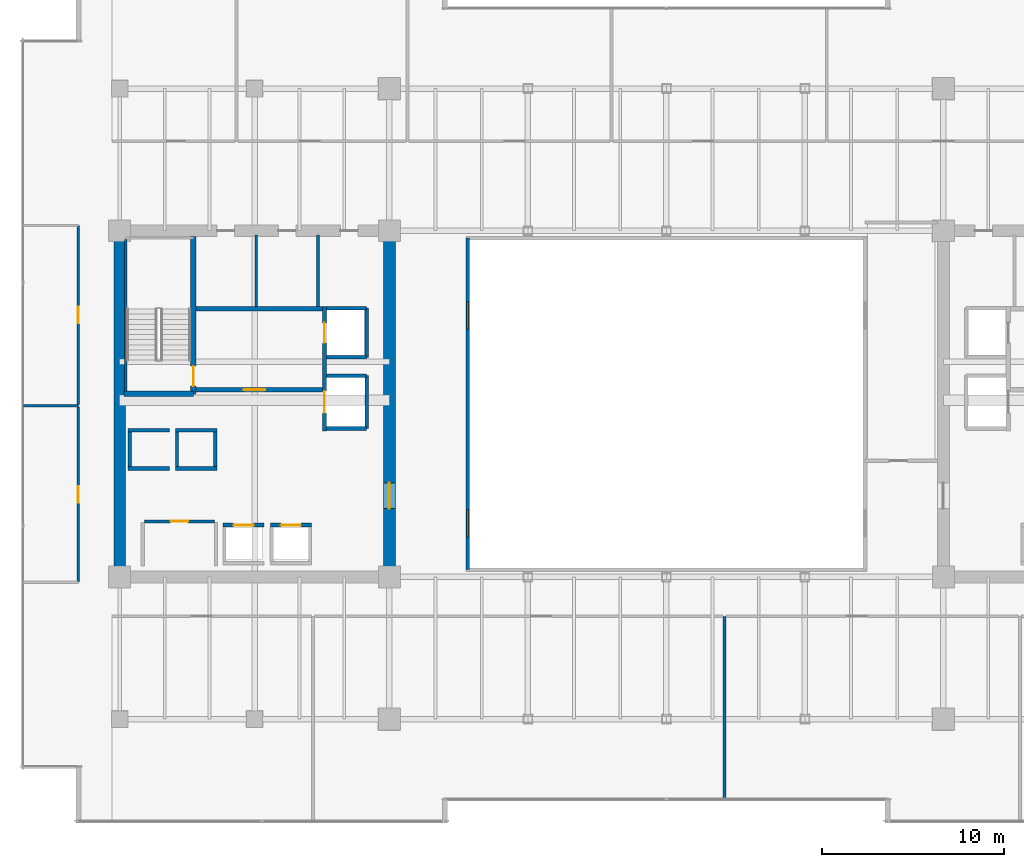
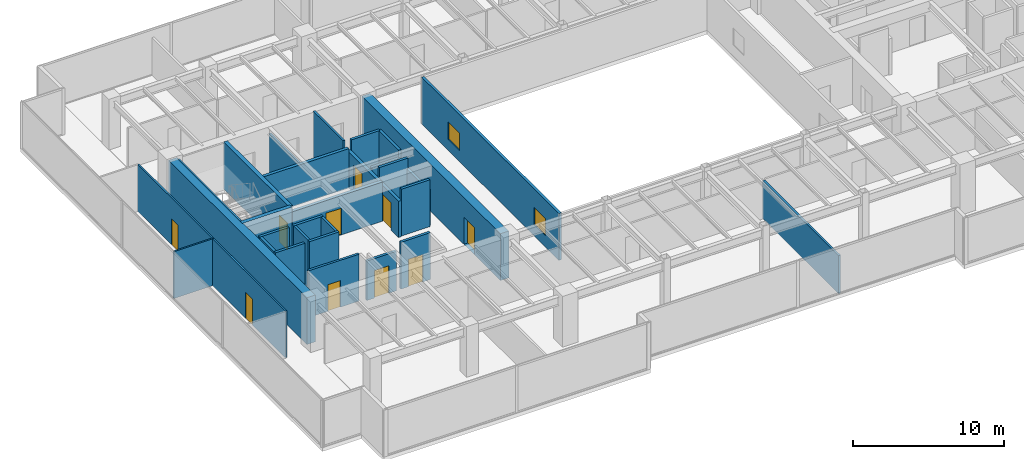
# One storey, part 25 of 33: 31 walls, 10 doors, 2 windows, 12 openings.
"""IFC4 building model written with IfcOpenShell, lengths in metres."""

from ifc_helpers import new_model, si_unit, direction, frame, frame_2d, origin, place, context, subcontext, project, spatial, rectangle, extrude, source, transform, mapped, material, layer, layer_set, type_object, type_shapes, element, fill, save


model = new_model("IFC4")

# Units and contexts
model_context = context("Model", 3, precision=1e-05, world=origin(), true_north=direction((0.0, 1.0)))
body_context = subcontext(model_context, "Body", "Model", "MODEL_VIEW")
ifc_project = project(units=[si_unit("LENGTHUNIT", "METRE"), si_unit("AREAUNIT", "SQUARE_METRE"), si_unit("VOLUMEUNIT", "CUBIC_METRE"), si_unit("PLANEANGLEUNIT", "RADIAN"), si_unit("MASSUNIT", "GRAM", prefix="KILO")], contexts=[model_context])

# Site, building, storey
site_placement = place(None, origin())
site = spatial("IfcSite", under=ifc_project, at=site_placement, CompositionType="ELEMENT")
building_placement = place(site_placement, origin())
building = spatial("IfcBuilding", under=site, at=building_placement, Name="Haelvirn Gate Laboratories", CompositionType="ELEMENT")
storey_placement = place(building_placement, frame((0.0, 0.0, 166.60009765625)))
storey = spatial("IfcBuildingStorey", under=building, at=storey_placement, Name="L40", CompositionType="ELEMENT", Elevation=166.60009765625)

# Wall
ifc_material_1 = material(Name="Double-layer acoustic gypsum laboratory partition", Category="gypsum")
ifc_layer_1 = layer(ifc_material_1, 0.159912109375, Name="IW-ACOUST-160")
ifc_layer_set_1 = layer_set([ifc_layer_1], Name="Double-layer acoustic gypsum laboratory partition")
wall_type_1 = type_object("IfcWallType", Name="IW-ACOUST-160", PredefinedType="PARTITIONING", material=ifc_layer_set_1)
wall_1_placement = place(storey_placement, frame((40.60009765625, 2.610107421875, 0.0), z_axis=(0.0, 0.0, 1.0), x_axis=(0.0, 1.0, 0.0)))
element("IfcWall", 1, at=wall_1_placement, inside=storey, type_object=wall_type_1, Name="L40 Interior Wall IW-L40-SDIV-02", PredefinedType="PARTITIONING", context=body_context, shape_type="SweptSolid", body=[
    extrude(rectangle(XDim=10.02978515625, YDim=0.159912109375, at=frame_2d((5.014892578125, 0.0))), origin(), (0.0, 0.0, 1.0), 3.074951171875),
])

# Wall, openings, windows
ifc_material_2 = material(Name="Tempered fire-rated borosilicate glass & anodised aluminium", Category="aluminium")
ifc_layer_2 = layer(ifc_material_2, 0.195068359375, Name="IW-GLAZ-200")
ifc_layer_set_2 = layer_set([ifc_layer_2], Name="Tempered fire-rated borosilicate glass & anodised aluminium")
wall_type_2 = type_object("IfcWallType", Name="IW-GLAZ-200", PredefinedType="SOLIDWALL", material=ifc_layer_set_2)
wall_2_placement = place(storey_placement, frame((26.5, 15.199951171875, 0.0), z_axis=(0.0, 0.0, 1.0), x_axis=(0.0, 1.0, 0.0)))
wall_2 = element("IfcWall", 2, at=wall_2_placement, inside=storey, type_object=wall_type_2, Name="L40 Interior Wall IW-L40-ATRIUM-W", PredefinedType="SOLIDWALL", context=body_context, shape_type="SweptSolid", body=[
    extrude(rectangle(XDim=18.199951171875, YDim=0.195068359375, at=frame_2d((9.10009765625, 0.0))), origin(), (0.0, 0.0, 1.0), 3.789794921875),
])
opening_1_placement = place(wall_2_placement, frame((1.800048828125, 0.0, 0.89990234375)))
opening_1 = element("IfcOpeningElement", 3, at=opening_1_placement, cuts=wall_2, Name="Opening W5", PredefinedType="OPENING", context=body_context, shape_type="SweptSolid", body=[
    extrude(rectangle(XDim=1.5, YDim=1.39990234375, at=frame_2d((0.75, 0.699951171875))), frame((0.0, 0.107421875, 0.0), z_axis=(0.0, -1.0, 0.0), x_axis=(1.0, 0.0, 0.0)), (0.0, 0.0, 1.0), 0.215087890625),
])
opening_2_placement = place(wall_2_placement, frame((13.199951171875, 0.0, 0.89990234375)))
opening_2 = element("IfcOpeningElement", 4, at=opening_2_placement, cuts=wall_2, Name="Opening W5", PredefinedType="OPENING", context=body_context, shape_type="SweptSolid", body=[
    extrude(rectangle(XDim=1.5, YDim=1.39990234375, at=frame_2d((0.75, 0.699951171875))), frame((0.0, 0.107421875, 0.0), z_axis=(0.0, -1.0, 0.0), x_axis=(1.0, 0.0, 0.0)), (0.0, 0.0, 1.0), 0.215087890625),
])
ifc_material_3 = material(Name="Fire-rated EI 120 borosilicate atrium vision glazing", Category="glass")
window_type = type_object("IfcWindowType", Name="WN-ATR-1500", PartitioningType="SINGLE_PANEL", PredefinedType="WINDOW", material=ifc_material_3)
shared_shape_1 = source(origin(), body_context, "Body", "SweptSolid", [
    extrude(rectangle(XDim=1.5, YDim=1.39990234375, at=frame_2d((0.75, 0.699951171875))), frame((0.0, 0.030029296875, 0.0), z_axis=(0.0, -1.0, 0.0), x_axis=(1.0, 0.0, 0.0)), (0.0, 0.0, 1.0), 0.06005859375),
])
type_shapes(window_type, [shared_shape_1])
window_1_placement = place(opening_1_placement, origin())
window_1 = element("IfcWindow", 5, at=window_1_placement, inside=storey, type_object=window_type, Name="L40 Atrium Observation Window 1", OverallHeight=1.39990234375, OverallWidth=1.5, PartitioningType="SINGLE_PANEL", PredefinedType="WINDOW", context=body_context, shape_type="MappedRepresentation", body=[
    mapped(shared_shape_1, transform((0.0, 0.0, 0.0), scale=1.0)),
])
fill(opening_1, window_1)
window_2_placement = place(opening_2_placement, origin())
window_2 = element("IfcWindow", 6, at=window_2_placement, inside=storey, type_object=window_type, Name="L40 Atrium Observation Window 2", OverallHeight=1.39990234375, OverallWidth=1.5, PartitioningType="SINGLE_PANEL", PredefinedType="WINDOW", context=body_context, shape_type="MappedRepresentation", body=[
    mapped(shared_shape_1, transform((0.0, 0.0, 0.0), scale=1.0)),
])
fill(opening_2, window_2)

# Wall, opening, door
ifc_material_4 = material(Name="Lightweight acoustic gypsum board partition", Category="gypsum")
ifc_layer_3 = layer(ifc_material_4, 0.1201171875, Name="IW-PART-120")
ifc_layer_set_3 = layer_set([ifc_layer_3], Name="Lightweight acoustic gypsum board partition")
wall_type_3 = type_object("IfcWallType", Name="IW-PART-120", PredefinedType="PARTITIONING", material=ifc_layer_set_3)
wall_3_placement = place(storey_placement, frame((5.1298828125, 14.514892578125, 0.0), z_axis=(0.0, 0.0, 1.0), x_axis=(0.0, 1.0, 0.0)))
wall_3 = element("IfcWall", 7, at=wall_3_placement, inside=storey, type_object=wall_type_3, Name="L40 Interior Wall IW-L40-WPASS-01", PredefinedType="PARTITIONING", context=body_context, shape_type="SweptSolid", body=[
    extrude(rectangle(XDim=9.625, YDim=0.1201171875, at=frame_2d((4.8125, 0.0))), origin(), (0.0, 0.0, 1.0), 3.789794921875),
])
opening_3_placement = place(wall_3_placement, frame((4.362548828125, 0.0, 0.0)))
opening_3 = element("IfcOpeningElement", 8, at=opening_3_placement, cuts=wall_3, Name="Opening D4", PredefinedType="OPENING", context=body_context, shape_type="SweptSolid", body=[
    extrude(rectangle(XDim=0.89990234375, YDim=2.10009765625, at=frame_2d((0.449951171875, 1.050048828125))), frame((0.0, 0.070068359375, 0.0), z_axis=(0.0, -1.0, 0.0), x_axis=(1.0, 0.0, 0.0)), (0.0, 0.0, 1.0), 0.14013671875),
])
ifc_material_5 = material(Name="Glazed aluminium-framed write-up door", Category="aluminium")
door_type_1 = type_object("IfcDoorType", Name="DR-OFF-900", OperationType="NOTDEFINED", PredefinedType="DOOR", material=ifc_material_5)
shared_shape_2 = source(origin(), body_context, "Body", "SweptSolid", [
    extrude(rectangle(XDim=0.89990234375, YDim=2.10009765625, at=frame_2d((0.449951171875, 1.050048828125))), frame((0.0, 0.02490234375, 0.0), z_axis=(0.0, -1.0, 0.0), x_axis=(1.0, 0.0, 0.0)), (0.0, 0.0, 1.0), 0.050048828125),
])
type_shapes(door_type_1, [shared_shape_2])
door_1_placement = place(opening_3_placement, origin())
door_1 = element("IfcDoor", 9, at=door_1_placement, inside=storey, type_object=door_type_1, Name="L40 Floor Hydration & Tea Servery Door W1", OperationType="SINGLE_SWING_LEFT", OverallHeight=2.10009765625, OverallWidth=0.89990234375, PredefinedType="DOOR", context=body_context, shape_type="MappedRepresentation", body=[
    mapped(shared_shape_2, transform((0.0, 0.0, 0.0), scale=1.0)),
])
fill(opening_3, door_1)

# Wall
wall_4_placement = place(storey_placement, frame((2.110107421875, 24.199951171875, 0.0), z_axis=(0.0, 0.0, 1.0), x_axis=(1.0, 0.0, 0.0)))
element("IfcWall", 10, at=wall_4_placement, inside=storey, type_object=wall_type_3, Name="L40 Interior Wall IW-L40-WDIV-01", PredefinedType="PARTITIONING", context=body_context, shape_type="SweptSolid", body=[
    extrude(rectangle(XDim=3.019775390625, YDim=0.1201171875, at=frame_2d((1.509765625, 0.0))), origin(), (0.0, 0.0, 1.0), 3.789794921875),
])

# Wall, opening, door
wall_5_placement = place(storey_placement, frame((5.1298828125, 24.260009765625, 0.0), z_axis=(0.0, 0.0, 1.0), x_axis=(0.0, 1.0, 0.0)))
wall_5 = element("IfcWall", 11, at=wall_5_placement, inside=storey, type_object=wall_type_3, Name="L40 Interior Wall IW-L40-WPASS-02", PredefinedType="PARTITIONING", context=body_context, shape_type="SweptSolid", body=[
    extrude(rectangle(XDim=9.824951171875, YDim=0.1201171875, at=frame_2d((4.91259765625, 0.0))), origin(), (0.0, 0.0, 1.0), 3.789794921875),
])
opening_4_placement = place(wall_5_placement, frame((4.46240234375, 0.0, 0.0)))
opening_4 = element("IfcOpeningElement", 12, at=opening_4_placement, cuts=wall_5, Name="Opening D4", PredefinedType="OPENING", context=body_context, shape_type="SweptSolid", body=[
    extrude(rectangle(XDim=0.89990234375, YDim=2.10009765625, at=frame_2d((0.449951171875, 1.050048828125))), frame((0.0, 0.070068359375, 0.0), z_axis=(0.0, -1.0, 0.0), x_axis=(1.0, 0.0, 0.0)), (0.0, 0.0, 1.0), 0.14013671875),
])
door_2_placement = place(opening_4_placement, origin())
door_2 = element("IfcDoor", 13, at=door_2_placement, inside=storey, type_object=door_type_1, Name="L40 Researcher Break Pantry Door W2", OperationType="SINGLE_SWING_RIGHT", OverallHeight=2.10009765625, OverallWidth=0.89990234375, PredefinedType="DOOR", context=body_context, shape_type="MappedRepresentation", body=[
    mapped(shared_shape_2, transform((0.0, 0.0, 0.0), scale=1.0)),
])
fill(opening_4, door_2)

# Walls
ifc_material_6 = material(Name="Cement-board restroom plumbing chase wall", Category="gypsum")
ifc_layer_4 = layer(ifc_material_6, 0.155029296875, Name="IW-PLUMB-160")
ifc_layer_set_4 = layer_set([ifc_layer_4], Name="Cement-board restroom plumbing chase wall")
wall_type_4 = type_object("IfcWallType", Name="IW-PLUMB-160", PredefinedType="PLUMBINGWALL", material=ifc_layer_set_4)
wall_6_placement = place(storey_placement, frame((14.889892578125, 29.64990234375, 0.0), z_axis=(0.0, 0.0, 1.0), x_axis=(0.0, 1.0, 0.0)))
element("IfcWall", 14, at=wall_6_placement, inside=storey, type_object=wall_type_4, Name="L40 Interior Wall IW-L40-W-CDIV-1", PredefinedType="PLUMBINGWALL", context=body_context, shape_type="SweptSolid", body=[
    extrude(rectangle(XDim=3.93017578125, YDim=0.155029296875, at=frame_2d((1.965087890625, 0.0))), origin(), (0.0, 0.0, 1.0), 3.18701171875),
])
wall_7_placement = place(storey_placement, frame((18.2900390625, 29.64990234375, 0.0), z_axis=(0.0, 0.0, 1.0), x_axis=(0.0, 1.0, 0.0)))
element("IfcWall", 15, at=wall_7_placement, inside=storey, type_object=wall_type_4, Name="L40 Interior Wall IW-L40-W-CDIV-2", PredefinedType="PLUMBINGWALL", context=body_context, shape_type="SweptSolid", body=[
    extrude(rectangle(XDim=3.93017578125, YDim=0.155029296875, at=frame_2d((1.965087890625, 0.0))), origin(), (0.0, 0.0, 1.0), 3.789794921875),
])
ifc_material_7 = material(Name="Concrete C40/50", Category="concrete")
ifc_layer_5 = layer(ifc_material_7, 0.179931640625, Name="IW-SHAFT-180")
ifc_layer_set_5 = layer_set([ifc_layer_5], Name="Concrete C40/50")
wall_type_5 = type_object("IfcWallType", Name="IW-SHAFT-180", PredefinedType="SOLIDWALL", material=ifc_layer_set_5)
for number, where, z_axis, x_axis, name in (
    (16, (7.949951171875, 20.85009765625, 0.0), (0.0, 0.0, 1.0), (0.0, 1.0, 0.0), "L40 Interior Wall IW-L40-PL9-SD"),
    (17, (10.550048828125, 20.85009765625, 0.0), (0.0, 0.0, 1.0), (0.0, 1.0, 0.0), "L40 Interior Wall IW-L40-PL10-SD"),
    (18, (12.64990234375, 20.85009765625, 0.0), (0.0, 0.0, 1.0), (0.0, 1.0, 0.0), "L40 Interior Wall IW-L40-PL10-SDE"),
):
    element("IfcWall", number, at=place(storey_placement, frame(where, z_axis=z_axis, x_axis=x_axis)), inside=storey, type_object=wall_type_5, Name=name, PredefinedType="SOLIDWALL", context=body_context, shape_type="SweptSolid", body=[
        extrude(rectangle(XDim=1.89990234375, YDim=0.179931640625, at=frame_2d((0.949951171875, 0.0))), origin(), (0.0, 0.0, 1.0), 3.789794921875),
    ])

# Wall, opening, door
wall_8_placement = place(storey_placement, frame((8.75, 17.85009765625, 0.0), z_axis=(0.0, 0.0, 1.0), x_axis=(1.0, 0.0, 0.0)))
wall_8 = element("IfcWall", 19, at=wall_8_placement, inside=storey, type_object=wall_type_5, Name="L40 Interior Wall IW-L40-W-FREED-LN-1", PredefinedType="SOLIDWALL", context=body_context, shape_type="SweptSolid", body=[
    extrude(rectangle(XDim=3.85009765625, YDim=0.179931640625, at=frame_2d((1.925048828125, 0.0))), origin(), (0.0, 0.0, 1.0), 3.789794921875),
])
opening_5_placement = place(wall_8_placement, frame((1.449951171875, 0.0, 0.0)))
opening_5 = element("IfcOpeningElement", 20, at=opening_5_placement, cuts=wall_8, Name="Opening FD4", PredefinedType="OPENING", context=body_context, shape_type="SweptSolid", body=[
    extrude(rectangle(XDim=0.949951171875, YDim=2.14990234375, at=frame_2d((0.47509765625, 1.074951171875))), frame((0.0, 0.10009765625, 0.0), z_axis=(0.0, -1.0, 0.0), x_axis=(1.0, 0.0, 0.0)), (0.0, 0.0, 1.0), 0.199951171875),
])
ifc_material_8 = material(Name="Fire-rated steel SM355 core service door", Category="steel")
door_type_2 = type_object("IfcDoorType", Name="DR-FD-950", OperationType="NOTDEFINED", PredefinedType="DOOR", material=ifc_material_8)
shared_shape_3 = source(origin(), body_context, "Body", "SweptSolid", [
    extrude(rectangle(XDim=0.949951171875, YDim=2.14990234375, at=frame_2d((0.47509765625, 1.074951171875))), frame((0.0, 0.02490234375, 0.0), z_axis=(0.0, -1.0, 0.0), x_axis=(1.0, 0.0, 0.0)), (0.0, 0.0, 1.0), 0.050048828125),
])
type_shapes(door_type_2, [shared_shape_3])
door_3_placement = place(opening_5_placement, origin())
door_3 = element("IfcDoor", 21, at=door_3_placement, inside=storey, type_object=door_type_2, Name="L40 Cryo-Dewar & Sterile Glassware Room Door", OperationType="SINGLE_SWING_LEFT", OverallHeight=2.14990234375, OverallWidth=0.949951171875, PredefinedType="DOOR", context=body_context, shape_type="MappedRepresentation", body=[
    mapped(shared_shape_3, transform((0.0, 0.0, 0.0), scale=1.0)),
])
fill(opening_5, door_3)

ifc_layer_6 = layer(ifc_material_7, 0.199951171875, Name="IW-SHAFT-200")
ifc_layer_set_6 = layer_set([ifc_layer_6], Name="Concrete C40/50")
wall_type_6 = type_object("IfcWallType", Name="IW-SHAFT-200", PredefinedType="SOLIDWALL", material=ifc_layer_set_6)
wall_9_placement = place(storey_placement, frame((13.070068359375, 17.64990234375, 0.0), z_axis=(0.0, 0.0, 1.0), x_axis=(1.0, 0.0, 0.0)))
wall_9 = element("IfcWall", 22, at=wall_9_placement, inside=storey, type_object=wall_type_6, Name="L40 Interior Wall IW-L40-PL5-FR", PredefinedType="SOLIDWALL", context=body_context, shape_type="SweptSolid", body=[
    extrude(rectangle(XDim=2.260009765625, YDim=0.199951171875, at=frame_2d((1.1298828125, 0.0))), origin(), (0.0, 0.0, 1.0), 3.18701171875),
])
opening_6_placement = place(wall_9_placement, frame((0.580078125, 0.0, 0.0)))
opening_6 = element("IfcOpeningElement", 23, at=opening_6_placement, cuts=wall_9, Name="Opening LD2", PredefinedType="OPENING", context=body_context, shape_type="SweptSolid", body=[
    extrude(rectangle(XDim=1.10009765625, YDim=2.219970703125, at=frame_2d((0.550048828125, 1.10986328125))), frame((0.0, 0.10986328125, 0.0), z_axis=(0.0, -1.0, 0.0), x_axis=(1.0, 0.0, 0.0)), (0.0, 0.0, 1.0), 0.219970703125),
])
ifc_material_9 = material(Name="Bronze stainless 316L sliding lift landing door")
door_type_3 = type_object("IfcDoorType", Name="DR-LD-1100", OperationType="NOTDEFINED", PredefinedType="USERDEFINED", material=ifc_material_9)
shared_shape_4 = source(origin(), body_context, "Body", "SweptSolid", [
    extrude(rectangle(XDim=1.10009765625, YDim=2.219970703125, at=frame_2d((0.550048828125, 1.10986328125))), frame((0.0, 0.02490234375, 0.0), z_axis=(0.0, -1.0, 0.0), x_axis=(1.0, 0.0, 0.0)), (0.0, 0.0, 1.0), 0.050048828125),
])
type_shapes(door_type_3, [shared_shape_4])
door_4_placement = place(opening_6_placement, origin())
door_4 = element("IfcDoor", 24, at=door_4_placement, inside=storey, type_object=door_type_3, Name="L40 Passenger Lift PL5 Landing Door", ObjectType="LANDING_DOOR", OperationType="SLIDING_TO_LEFT", OverallHeight=2.219970703125, OverallWidth=1.10009765625, PredefinedType="USERDEFINED", context=body_context, shape_type="MappedRepresentation", body=[
    mapped(shared_shape_4, transform((0.0, 0.0, 0.0), scale=1.0)),
])
fill(opening_6, door_4)

wall_10_placement = place(storey_placement, frame((15.669921875, 17.64990234375, 0.0), z_axis=(0.0, 0.0, 1.0), x_axis=(1.0, 0.0, 0.0)))
wall_10 = element("IfcWall", 25, at=wall_10_placement, inside=storey, type_object=wall_type_6, Name="L40 Interior Wall IW-L40-PL6-FR", PredefinedType="SOLIDWALL", context=body_context, shape_type="SweptSolid", body=[
    extrude(rectangle(XDim=2.260009765625, YDim=0.199951171875, at=frame_2d((1.1298828125, 0.0))), origin(), (0.0, 0.0, 1.0), 3.789794921875),
])
opening_7_placement = place(wall_10_placement, frame((0.580078125, 0.0, 0.0)))
opening_7 = element("IfcOpeningElement", 26, at=opening_7_placement, cuts=wall_10, Name="Opening LD2", PredefinedType="OPENING", context=body_context, shape_type="SweptSolid", body=[
    extrude(rectangle(XDim=1.10009765625, YDim=2.219970703125, at=frame_2d((0.550048828125, 1.10986328125))), frame((0.0, 0.10986328125, 0.0), z_axis=(0.0, -1.0, 0.0), x_axis=(1.0, 0.0, 0.0)), (0.0, 0.0, 1.0), 0.219970703125),
])
door_5_placement = place(opening_7_placement, origin())
door_5 = element("IfcDoor", 27, at=door_5_placement, inside=storey, type_object=door_type_3, Name="L40 Passenger Lift PL6 Landing Door", ObjectType="LANDING_DOOR", OperationType="SLIDING_TO_RIGHT", OverallHeight=2.219970703125, OverallWidth=1.10009765625, PredefinedType="USERDEFINED", context=body_context, shape_type="MappedRepresentation", body=[
    mapped(shared_shape_4, transform((0.0, 0.0, 0.0), scale=1.0)),
])
fill(opening_7, door_5)

# Walls
for number, where, z_axis, x_axis, name in (
    (28, (7.8701171875, 20.75, 0.0), (0.0, 0.0, 1.0), (1.0, 0.0, 0.0), "L40 Interior Wall IW-L40-PL9-FR"),
    (29, (7.8701171875, 22.85009765625, 0.0), (0.0, 0.0, 1.0), (1.0, 0.0, 0.0), "L40 Interior Wall IW-L40-PL9-BK"),
):
    element("IfcWall", number, at=place(storey_placement, frame(where, z_axis=z_axis, x_axis=x_axis)), inside=storey, type_object=wall_type_6, Name=name, PredefinedType="SOLIDWALL", context=body_context, shape_type="SweptSolid", body=[
        extrude(rectangle(XDim=2.259765625, YDim=0.199951171875, at=frame_2d((1.1298828125, 0.0))), origin(), (0.0, 0.0, 1.0), 3.789794921875),
    ])
for number, where, z_axis, x_axis, name in (
    (30, (10.469970703125, 20.75, 0.0), (0.0, 0.0, 1.0), (1.0, 0.0, 0.0), "L40 Interior Wall IW-L40-PL10-FR"),
    (31, (10.469970703125, 22.85009765625, 0.0), (0.0, 0.0, 1.0), (1.0, 0.0, 0.0), "L40 Interior Wall IW-L40-PL10-BK"),
):
    element("IfcWall", number, at=place(storey_placement, frame(where, z_axis=z_axis, x_axis=x_axis)), inside=storey, type_object=wall_type_6, Name=name, PredefinedType="SOLIDWALL", context=body_context, shape_type="SweptSolid", body=[
        extrude(rectangle(XDim=2.260009765625, YDim=0.199951171875, at=frame_2d((1.1298828125, 0.0))), origin(), (0.0, 0.0, 1.0), 3.789794921875),
    ])
wall_11_placement = place(storey_placement, frame((20.949951171875, 26.85009765625, 0.0), z_axis=(0.0, 0.0, 1.0), x_axis=(0.0, 1.0, 0.0)))
element("IfcWall", 32, at=wall_11_placement, inside=storey, type_object=wall_type_6, Name="L40 Interior Wall IW-L40-FL1-BK", PredefinedType="SOLIDWALL", context=body_context, shape_type="SweptSolid", body=[
    extrude(rectangle(XDim=2.699951171875, YDim=0.199951171875, at=frame_2d((1.35009765625, 0.0))), origin(), (0.0, 0.0, 1.0), 3.789794921875),
])
wall_12_placement = place(storey_placement, frame((18.760009765625, 29.550048828125, 0.0), z_axis=(0.0, 0.0, 1.0), x_axis=(1.0, 0.0, 0.0)))
element("IfcWall", 33, at=wall_12_placement, inside=storey, type_object=wall_type_6, Name="L40 Interior Wall IW-L40-FL1-N", PredefinedType="SOLIDWALL", context=body_context, shape_type="SweptSolid", body=[
    extrude(rectangle(XDim=2.18994140625, YDim=0.199951171875, at=frame_2d((1.094970703125, 0.0))), origin(), (0.0, 0.0, 1.0), 3.789794921875),
])
wall_13_placement = place(storey_placement, frame((18.760009765625, 26.85009765625, 0.0), z_axis=(0.0, 0.0, 1.0), x_axis=(1.0, 0.0, 0.0)))
element("IfcWall", 34, at=wall_13_placement, inside=storey, type_object=wall_type_6, Name="L40 Interior Wall IW-L40-FL1-S", PredefinedType="SOLIDWALL", context=body_context, shape_type="SweptSolid", body=[
    extrude(rectangle(XDim=2.18994140625, YDim=0.199951171875, at=frame_2d((1.094970703125, 0.0))), origin(), (0.0, 0.0, 1.0), 3.18701171875),
])
wall_14_placement = place(storey_placement, frame((20.949951171875, 22.949951171875, 0.0), z_axis=(0.0, 0.0, 1.0), x_axis=(0.0, 1.0, 0.0)))
element("IfcWall", 35, at=wall_14_placement, inside=storey, type_object=wall_type_6, Name="L40 Interior Wall IW-L40-SL1-BK", PredefinedType="SOLIDWALL", context=body_context, shape_type="SweptSolid", body=[
    extrude(rectangle(XDim=2.900146484375, YDim=0.199951171875, at=frame_2d((1.4501953125, 0.0))), origin(), (0.0, 0.0, 1.0), 2.9248046875),
])
for number, where, z_axis, x_axis, name in (
    (36, (18.760009765625, 25.85009765625, 0.0), (0.0, 0.0, 1.0), (1.0, 0.0, 0.0), "L40 Interior Wall IW-L40-SL1-N"),
    (37, (18.760009765625, 22.949951171875, 0.0), (0.0, 0.0, 1.0), (1.0, 0.0, 0.0), "L40 Interior Wall IW-L40-SL1-S"),
):
    element("IfcWall", number, at=place(storey_placement, frame(where, z_axis=z_axis, x_axis=x_axis)), inside=storey, type_object=wall_type_6, Name=name, PredefinedType="SOLIDWALL", context=body_context, shape_type="SweptSolid", body=[
        extrude(rectangle(XDim=2.18994140625, YDim=0.199951171875, at=frame_2d((1.094970703125, 0.0))), origin(), (0.0, 0.0, 1.0), 3.789794921875),
    ])

# Wall, opening, door
ifc_layer_7 = layer(ifc_material_7, 0.239990234375, Name="IW-SHAFT-240")
ifc_layer_set_7 = layer_set([ifc_layer_7], Name="Concrete C40/50")
wall_type_7 = type_object("IfcWallType", Name="IW-SHAFT-240", PredefinedType="SOLIDWALL", material=ifc_layer_set_7)
wall_15_placement = place(storey_placement, frame((11.60009765625, 25.080078125, 0.0), z_axis=(0.0, 0.0, 1.0), x_axis=(1.0, 0.0, 0.0)))
wall_15 = element("IfcWall", 38, at=wall_15_placement, inside=storey, type_object=wall_type_7, Name="L40 Interior Wall IW-L40-W-FF-S", PredefinedType="SOLIDWALL", context=body_context, shape_type="SweptSolid", body=[
    extrude(rectangle(XDim=6.919921875, YDim=0.239990234375, at=frame_2d((3.4599609375, 0.0))), origin(), (0.0, 0.0, 1.0), 3.18701171875),
])
opening_8_placement = place(wall_15_placement, frame((2.60009765625, 0.0, 0.0)))
opening_8 = element("IfcOpeningElement", 39, at=opening_8_placement, cuts=wall_15, Name="Opening FD2", PredefinedType="OPENING", context=body_context, shape_type="SweptSolid", body=[
    extrude(rectangle(XDim=1.199951171875, YDim=2.159912109375, at=frame_2d((0.60009765625, 1.080078125))), frame((0.0, 0.1298828125, 0.0), z_axis=(0.0, -1.0, 0.0), x_axis=(1.0, 0.0, 0.0)), (0.0, 0.0, 1.0), 0.260009765625),
])
ifc_material_10 = material(Name="Fire-rated steel SM355 compartment door", Category="steel")
door_type_4 = type_object("IfcDoorType", Name="DR-FD-1200", OperationType="NOTDEFINED", PredefinedType="DOOR", material=ifc_material_10)
shared_shape_5 = source(origin(), body_context, "Body", "SweptSolid", [
    extrude(rectangle(XDim=1.199951171875, YDim=2.159912109375, at=frame_2d((0.60009765625, 1.080078125))), frame((0.0, 0.02490234375, 0.0), z_axis=(0.0, -1.0, 0.0), x_axis=(1.0, 0.0, 0.0)), (0.0, 0.0, 1.0), 0.050048828125),
])
type_shapes(door_type_4, [shared_shape_5])
door_6_placement = place(opening_8_placement, origin())
door_6 = element("IfcDoor", 40, at=door_6_placement, inside=storey, type_object=door_type_4, Name="L40 West Firefighting Lobby Door", OperationType="SINGLE_SWING_RIGHT", OverallHeight=2.159912109375, OverallWidth=1.199951171875, PredefinedType="DOOR", context=body_context, shape_type="MappedRepresentation", body=[
    mapped(shared_shape_5, transform((0.0, 0.0, 0.0), scale=1.0)),
])
fill(opening_8, door_6)

# Wall
wall_16_placement = place(storey_placement, frame((11.60009765625, 29.52001953125, 0.0), z_axis=(0.0, 0.0, 1.0), x_axis=(1.0, 0.0, 0.0)))
element("IfcWall", 41, at=wall_16_placement, inside=storey, type_object=wall_type_7, Name="L40 Interior Wall IW-L40-W-FF-N", PredefinedType="SOLIDWALL", context=body_context, shape_type="SweptSolid", body=[
    extrude(rectangle(XDim=6.919921875, YDim=0.239990234375, at=frame_2d((3.4599609375, 0.0))), origin(), (0.0, 0.0, 1.0), 3.18701171875),
])

# Wall, openings, doors
wall_17_placement = place(storey_placement, frame((18.639892578125, 22.800048828125, 0.0), z_axis=(0.0, 0.0, 1.0), x_axis=(0.0, 1.0, 0.0)))
wall_17 = element("IfcWall", 42, at=wall_17_placement, inside=storey, type_object=wall_type_7, Name="L40 Interior Wall IW-L40-W-FF-E", PredefinedType="SOLIDWALL", context=body_context, shape_type="SweptSolid", body=[
    extrude(rectangle(XDim=6.849853515625, YDim=0.239990234375, at=frame_2d((3.4248046875, 0.0))), origin(), (0.0, 0.0, 1.0), 2.9248046875),
])
opening_9_placement = place(wall_17_placement, frame((4.85009765625, 0.0, 0.0)))
opening_9 = element("IfcOpeningElement", 43, at=opening_9_placement, cuts=wall_17, Name="Opening LD2", PredefinedType="OPENING", context=body_context, shape_type="SweptSolid", body=[
    extrude(rectangle(XDim=1.10009765625, YDim=2.219970703125, at=frame_2d((0.550048828125, 1.10986328125))), frame((0.0, 0.1298828125, 0.0), z_axis=(0.0, -1.0, 0.0), x_axis=(1.0, 0.0, 0.0)), (0.0, 0.0, 1.0), 0.260009765625),
])
opening_10_placement = place(wall_17_placement, frame((1.0, 0.0, 0.0)))
opening_10 = element("IfcOpeningElement", 44, at=opening_10_placement, cuts=wall_17, Name="Opening LD1", PredefinedType="OPENING", context=body_context, shape_type="SweptSolid", body=[
    extrude(rectangle(XDim=1.199951171875, YDim=2.219970703125, at=frame_2d((0.60009765625, 1.10986328125))), frame((0.0, 0.1298828125, 0.0), z_axis=(0.0, -1.0, 0.0), x_axis=(1.0, 0.0, 0.0)), (0.0, 0.0, 1.0), 0.260009765625),
])
door_7_placement = place(opening_9_placement, origin())
door_7 = element("IfcDoor", 45, at=door_7_placement, inside=storey, type_object=door_type_3, Name="L40 Firefighting Lift FL1 Landing Door", ObjectType="LANDING_DOOR", OperationType="SLIDING_TO_LEFT", OverallHeight=2.219970703125, OverallWidth=1.10009765625, PredefinedType="USERDEFINED", context=body_context, shape_type="MappedRepresentation", body=[
    mapped(shared_shape_4, transform((0.0, 0.0, 0.0), scale=1.0)),
])
fill(opening_9, door_7)
ifc_material_11 = material(Name="Stainless steel 316L sliding goods landing door", Category="steel")
door_type_5 = type_object("IfcDoorType", Name="DR-LD-1200", OperationType="NOTDEFINED", PredefinedType="USERDEFINED", material=ifc_material_11)
shared_shape_6 = source(origin(), body_context, "Body", "SweptSolid", [
    extrude(rectangle(XDim=1.199951171875, YDim=2.219970703125, at=frame_2d((0.60009765625, 1.10986328125))), frame((0.0, 0.02490234375, 0.0), z_axis=(0.0, -1.0, 0.0), x_axis=(1.0, 0.0, 0.0)), (0.0, 0.0, 1.0), 0.050048828125),
])
type_shapes(door_type_5, [shared_shape_6])
door_8_placement = place(opening_10_placement, origin())
door_8 = element("IfcDoor", 46, at=door_8_placement, inside=storey, type_object=door_type_5, Name="L40 Service Lift SL1 Landing Door", ObjectType="LANDING_DOOR", OperationType="SLIDING_TO_RIGHT", OverallHeight=2.219970703125, OverallWidth=1.199951171875, PredefinedType="USERDEFINED", context=body_context, shape_type="MappedRepresentation", body=[
    mapped(shared_shape_6, transform((0.0, 0.0, 0.0), scale=1.0)),
])
fill(opening_10, door_8)

# Wall
ifc_material_12 = material(Name="Concrete C60/75", Category="concrete")
ifc_layer_8 = layer(ifc_material_12, 0.64990234375, Name="SW-CORE-650")
ifc_layer_set_8 = layer_set([ifc_layer_8], Name="Concrete C60/75")
wall_type_8 = type_object("IfcWallType", Name="SW-CORE-650", PredefinedType="SHEAR", material=ifc_layer_set_8)
wall_18_placement = place(storey_placement, frame((7.39990234375, 15.125, 0.0), z_axis=(0.0, 0.0, 1.0), x_axis=(0.0, 1.0, 0.0)))
element("IfcWall", 47, at=wall_18_placement, inside=storey, type_object=wall_type_8, Name="L40 W Core Shear Wall W", PredefinedType="SHEAR", context=body_context, shape_type="SweptSolid", body=[
    extrude(rectangle(XDim=18.35009765625, YDim=0.64990234375, at=frame_2d((9.175048828125, 0.0))), origin(), (0.0, 0.0, 1.0), 3.789794921875),
])

# Wall, opening, door
wall_19_placement = place(storey_placement, frame((22.199951171875, 15.125, 0.0), z_axis=(0.0, 0.0, 1.0), x_axis=(0.0, 1.0, 0.0)))
wall_19 = element("IfcWall", 48, at=wall_19_placement, inside=storey, type_object=wall_type_8, Name="L40 W Core Shear Wall E", PredefinedType="SHEAR", context=body_context, shape_type="SweptSolid", body=[
    extrude(rectangle(XDim=18.35009765625, YDim=0.64990234375, at=frame_2d((9.175048828125, 0.0))), origin(), (0.0, 0.0, 1.0), 3.789794921875),
])
opening_11_placement = place(wall_19_placement, frame((3.425048828125, 0.0, 0.0)))
opening_11 = element("IfcOpeningElement", 49, at=opening_11_placement, cuts=wall_19, Name="Opening FD1", PredefinedType="OPENING", context=body_context, shape_type="SweptSolid", body=[
    extrude(rectangle(XDim=1.419921875, YDim=2.199951171875, at=frame_2d((0.7099609375, 1.10009765625))), frame((0.0, 0.3349609375, 0.0), z_axis=(0.0, -1.0, 0.0), x_axis=(1.0, 0.0, 0.0)), (0.0, 0.0, 1.0), 0.669921875),
])
ifc_material_13 = material(Name="Fire-rated double steel SM355 lobby door", Category="steel")
door_type_6 = type_object("IfcDoorType", Name="DR-FD-1400", OperationType="NOTDEFINED", PredefinedType="DOOR", material=ifc_material_13)
shared_shape_7 = source(origin(), body_context, "Body", "SweptSolid", [
    extrude(rectangle(XDim=1.419921875, YDim=2.199951171875, at=frame_2d((0.7099609375, 1.10009765625))), frame((0.0, 0.02490234375, 0.0), z_axis=(0.0, -1.0, 0.0), x_axis=(1.0, 0.0, 0.0)), (0.0, 0.0, 1.0), 0.050048828125),
])
type_shapes(door_type_6, [shared_shape_7])
door_9_placement = place(opening_11_placement, origin())
door_9 = element("IfcDoor", 50, at=door_9_placement, inside=storey, type_object=door_type_6, Name="L40 West Core Lift Lobby Fire Door", OperationType="DOUBLE_DOOR_SINGLE_SWING", OverallHeight=2.199951171875, OverallWidth=1.419921875, PredefinedType="DOOR", context=body_context, shape_type="MappedRepresentation", body=[
    mapped(shared_shape_7, transform((0.0, 0.0, 0.0), scale=1.0)),
])
fill(opening_11, door_9)

# Wall
ifc_material_14 = material(Name="Concrete C50/60", Category="concrete")
ifc_layer_9 = layer(ifc_material_14, 0.1201171875, Name="SW-LINER-120")
ifc_layer_set_9 = layer_set([ifc_layer_9], Name="Concrete C50/60")
wall_type_9 = type_object("IfcWallType", Name="SW-LINER-120", PredefinedType="SOLIDWALL", material=ifc_layer_set_9)
wall_20_placement = place(storey_placement, frame((7.72998046875, 25.0, 0.0), z_axis=(0.0, 0.0, 1.0), x_axis=(0.0, 1.0, 0.0)))
element("IfcWall", 51, at=wall_20_placement, inside=storey, type_object=wall_type_9, Name="L40 W Core Stair Shaft Liner Wall OUT", PredefinedType="SOLIDWALL", context=body_context, shape_type="SweptSolid", body=[
    extrude(rectangle(XDim=8.320068359375, YDim=0.1201171875, at=frame_2d((4.16015625, 0.0))), origin(), (0.0, 0.0, 1.0), 3.789794921875),
])

# Wall, opening, door
ifc_layer_10 = layer(ifc_material_14, 0.300048828125, Name="SW-STAIR-300")
ifc_layer_set_10 = layer_set([ifc_layer_10], Name="Concrete C50/60")
wall_type_10 = type_object("IfcWallType", Name="SW-STAIR-300", PredefinedType="SHEAR", material=ifc_layer_set_10)
wall_21_placement = place(storey_placement, frame((11.449951171875, 24.85009765625, 0.0), z_axis=(0.0, 0.0, 1.0), x_axis=(0.0, 1.0, 0.0)))
wall_21 = element("IfcWall", 52, at=wall_21_placement, inside=storey, type_object=wall_type_10, Name="L40 W Core Stair Shaft Structural Wall IN", PredefinedType="SHEAR", context=body_context, shape_type="SweptSolid", body=[
    extrude(rectangle(XDim=8.6298828125, YDim=0.300048828125, at=frame_2d((4.31494140625, 0.0))), origin(), (0.0, 0.0, 1.0), 3.789794921875),
])
opening_12_placement = place(wall_21_placement, frame((0.419921875, 0.0, 0.0)))
opening_12 = element("IfcOpeningElement", 53, at=opening_12_placement, cuts=wall_21, Name="Opening FD3", PredefinedType="OPENING", context=body_context, shape_type="SweptSolid", body=[
    extrude(rectangle(XDim=1.10009765625, YDim=2.14990234375, at=frame_2d((0.550048828125, 1.074951171875))), frame((0.0, 0.16015625, 0.0), z_axis=(0.0, -1.0, 0.0), x_axis=(1.0, 0.0, 0.0)), (0.0, 0.0, 1.0), 0.320068359375),
])
ifc_material_15 = material(Name="Fire-rated steel SM355 escape stair door", Category="steel")
door_type_7 = type_object("IfcDoorType", Name="DR-FD-1100", OperationType="NOTDEFINED", PredefinedType="DOOR", material=ifc_material_15)
shared_shape_8 = source(origin(), body_context, "Body", "SweptSolid", [
    extrude(rectangle(XDim=1.10009765625, YDim=2.14990234375, at=frame_2d((0.550048828125, 1.074951171875))), frame((0.0, 0.02490234375, 0.0), z_axis=(0.0, -1.0, 0.0), x_axis=(1.0, 0.0, 0.0)), (0.0, 0.0, 1.0), 0.050048828125),
])
type_shapes(door_type_7, [shared_shape_8])
door_10_placement = place(opening_12_placement, origin())
door_10 = element("IfcDoor", 54, at=door_10_placement, inside=storey, type_object=door_type_7, Name="L40 Escape Stair ST1 Fire Door", OperationType="SINGLE_SWING_LEFT", OverallHeight=2.14990234375, OverallWidth=1.10009765625, PredefinedType="DOOR", context=body_context, shape_type="MappedRepresentation", body=[
    mapped(shared_shape_8, transform((0.0, 0.0, 0.0), scale=1.0)),
])
fill(opening_12, door_10)

# Wall
wall_22_placement = place(storey_placement, frame((7.64990234375, 24.85009765625, 0.0), z_axis=(0.0, 0.0, 1.0), x_axis=(1.0, 0.0, 0.0)))
element("IfcWall", 55, at=wall_22_placement, inside=storey, type_object=wall_type_10, Name="L40 W Core Stair Shaft Structural Wall S", PredefinedType="SHEAR", context=body_context, shape_type="SweptSolid", body=[
    extrude(rectangle(XDim=3.800048828125, YDim=0.300048828125, at=frame_2d((1.89990234375, 0.0))), origin(), (0.0, 0.0, 1.0), 3.789794921875),
])

save(model, "model.ifc")
